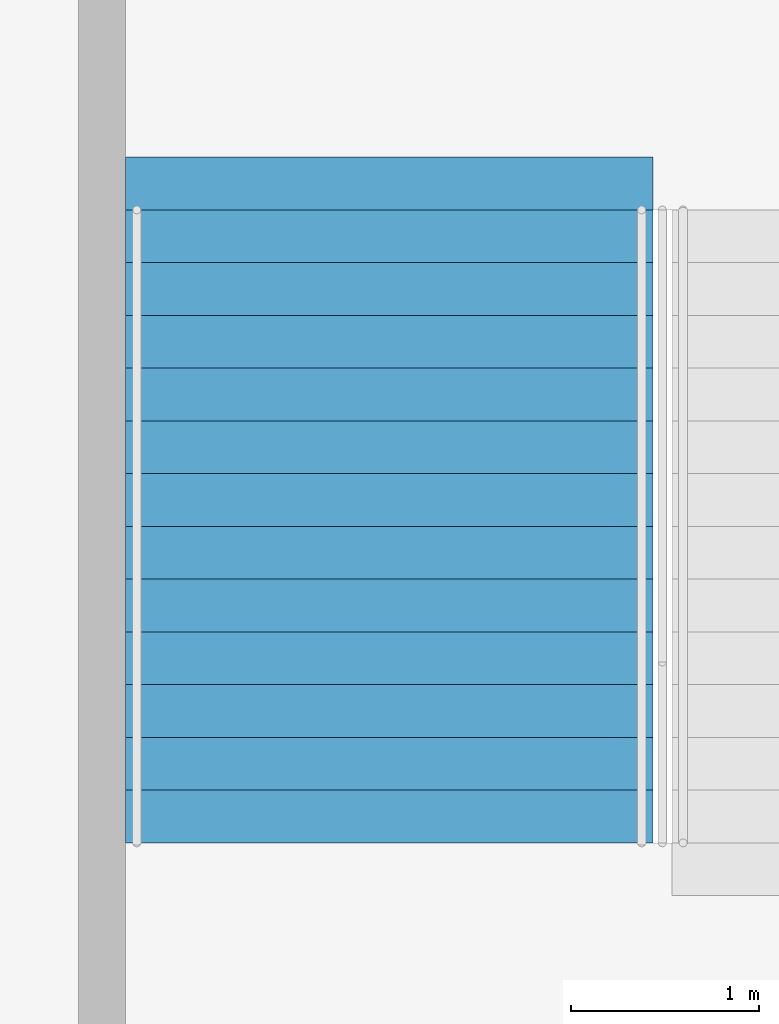
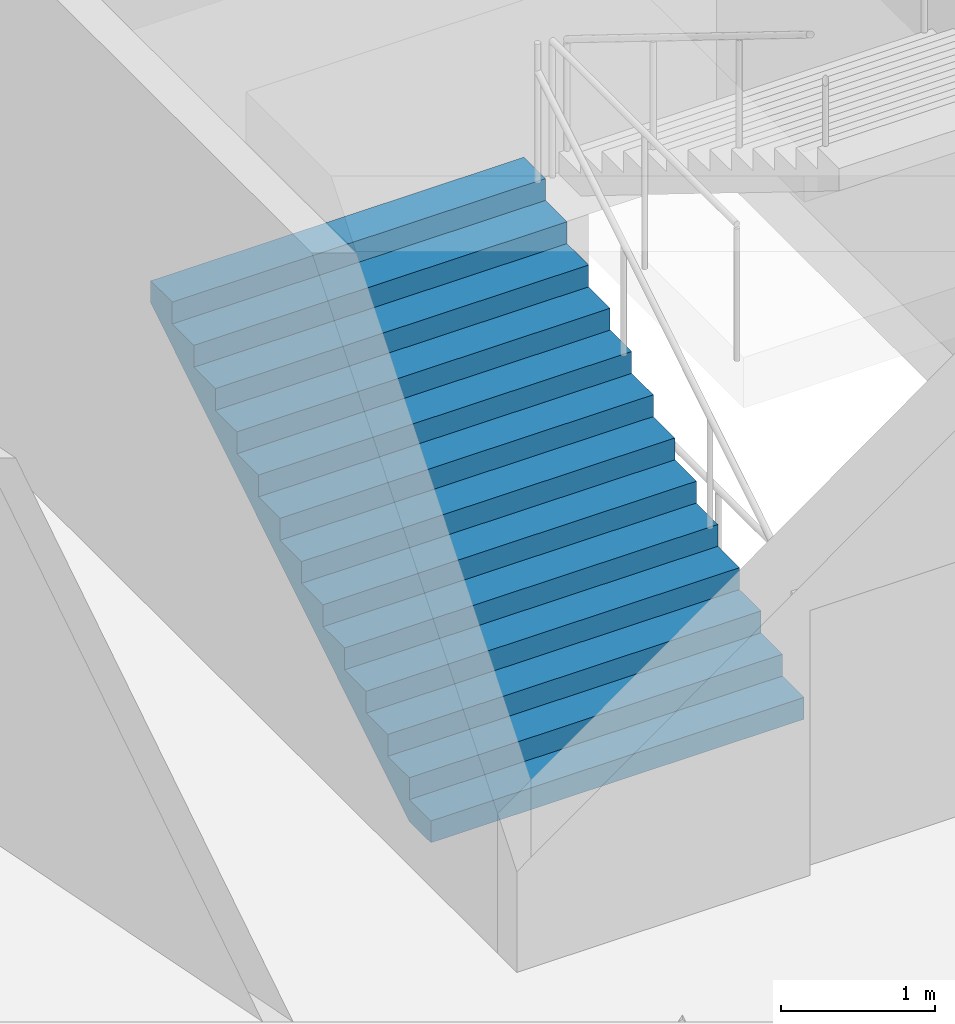
# One storey, part 128 of 175: 1 stair flight, 1 element without a shape of its own.
"""IFC4 building model written with IfcOpenShell, lengths in metres."""

from ifc_helpers import new_model, si_unit, direction, frame, origin, place, context, subcontext, project, spatial, faceted_brep, material, type_object, element, aggregate, save


model = new_model("IFC4")

# Units and contexts
model_context = context("Model", 3, precision=1e-05, world=origin(), true_north=direction((0.0, 1.0)))
body_context = subcontext(model_context, "Body", "Model", "MODEL_VIEW")
ifc_project = project(units=[si_unit("LENGTHUNIT", "METRE"), si_unit("AREAUNIT", "SQUARE_METRE"), si_unit("VOLUMEUNIT", "CUBIC_METRE"), si_unit("PLANEANGLEUNIT", "RADIAN"), si_unit("MASSUNIT", "GRAM", prefix="KILO")], contexts=[model_context])

# Site, building, storey
site_placement = place(None, origin())
site = spatial("IfcSite", under=ifc_project, at=site_placement, CompositionType="ELEMENT")
building_placement = place(site_placement, origin())
building = spatial("IfcBuilding", under=site, at=building_placement, Name="Ogive Plaza Stadium", CompositionType="ELEMENT")
storey_placement = place(building_placement, origin())
storey = spatial("IfcBuildingStorey", under=building, at=storey_placement, Name="L00", CompositionType="ELEMENT", Elevation=0.0)

# Stair, stair flight
ifc_material_1 = material(Name="Concrete C40/50", Category="concrete")
stair_type = type_object("IfcStairType", Name="Exit stair", PredefinedType="STRAIGHT_RUN_STAIR", material=ifc_material_1)
stair_placement = place(storey_placement, origin())
stair = element("IfcStair", 1, at=stair_placement, inside=storey, type_object=stair_type, Name="Exit stair ST32B L00 to L01", PredefinedType="STRAIGHT_RUN_STAIR")
ifc_material_2 = material(Name="Concrete C40/50", Category="concrete")
stair_flight_type = type_object("IfcStairFlightType", Name="Exit stair flight", PredefinedType="STRAIGHT", material=ifc_material_2)
stair_flight_placement = place(storey_placement, frame((-38.425048828125, 94.85009765625, 0.0), z_axis=(0.0, 0.0, 1.0), x_axis=(0.0, 1.0, 0.0)))
stair_flight = element("IfcStairFlight", 2, at=stair_flight_placement, type_object=stair_flight_type, Name="ST32B flight 1", NumberOfRisers=13, NumberOfTreads=12, PredefinedType="STRAIGHT", RiserHeight=0.173076923, TreadLength=0.28, context=body_context, shape_type="Brep", body=[
    faceted_brep([(0.28515625, -1.39990234375, 0.0), (3.639892578125, -1.39990234375, 2.07373046875), (3.639892578125, -1.39990234375, 2.25), (3.360107421875, -1.39990234375, 2.25), (3.360107421875, -1.39990234375, 2.076904296875), (3.080078125, -1.39990234375, 2.076904296875), (3.080078125, -1.39990234375, 1.90380859375), (2.800048828125, -1.39990234375, 1.90380859375), (2.800048828125, -1.39990234375, 1.730712890625), (2.52001953125, -1.39990234375, 1.730712890625), (2.52001953125, -1.39990234375, 1.5576171875), (2.239990234375, -1.39990234375, 1.5576171875), (2.239990234375, -1.39990234375, 1.384521484375), (1.9599609375, -1.39990234375, 1.384521484375), (1.9599609375, -1.39990234375, 1.21142578125), (1.679931640625, -1.39990234375, 1.21142578125), (1.679931640625, -1.39990234375, 1.03857421875), (1.39990234375, -1.39990234375, 1.03857421875), (1.39990234375, -1.39990234375, 0.865478515625), (1.1201171875, -1.39990234375, 0.865478515625), (1.1201171875, -1.39990234375, 0.6923828125), (0.840087890625, -1.39990234375, 0.6923828125), (0.840087890625, -1.39990234375, 0.519287109375), (0.56005859375, -1.39990234375, 0.519287109375), (0.56005859375, -1.39990234375, 0.34619140625), (0.280029296875, -1.39990234375, 0.34619140625), (0.280029296875, -1.39990234375, 0.173095703125), (0.0, -1.39990234375, 0.173095703125), (0.0, -1.39990234375, 0.0), (0.0, 1.39990234375, 0.0), (0.0, 1.39990234375, 0.173095703125), (0.280029296875, 1.39990234375, 0.173095703125), (0.280029296875, 1.39990234375, 0.34619140625), (0.56005859375, 1.39990234375, 0.34619140625), (0.56005859375, 1.39990234375, 0.519287109375), (0.840087890625, 1.39990234375, 0.519287109375), (0.840087890625, 1.39990234375, 0.6923828125), (1.1201171875, 1.39990234375, 0.6923828125), (1.1201171875, 1.39990234375, 0.865478515625), (1.39990234375, 1.39990234375, 0.865478515625), (1.39990234375, 1.39990234375, 1.03857421875), (1.679931640625, 1.39990234375, 1.03857421875), (1.679931640625, 1.39990234375, 1.21142578125), (1.9599609375, 1.39990234375, 1.21142578125), (1.9599609375, 1.39990234375, 1.384521484375), (2.239990234375, 1.39990234375, 1.384521484375), (2.239990234375, 1.39990234375, 1.5576171875), (2.52001953125, 1.39990234375, 1.5576171875), (2.52001953125, 1.39990234375, 1.730712890625), (2.800048828125, 1.39990234375, 1.730712890625), (2.800048828125, 1.39990234375, 1.90380859375), (3.080078125, 1.39990234375, 1.90380859375), (3.080078125, 1.39990234375, 2.076904296875), (3.360107421875, 1.39990234375, 2.076904296875), (3.360107421875, 1.39990234375, 2.25), (3.639892578125, 1.39990234375, 2.25), (3.639892578125, 1.39990234375, 2.07373046875), (0.28515625, 1.39990234375, 0.0), (0.28515625, -1.0888671875, 0.0), (3.639892578125, -1.0888671875, 2.07373046875), (0.28515625, -0.77783203125, 0.0), (3.639892578125, -0.77783203125, 2.07373046875), (0.28515625, -0.466796875, 0.0), (3.639892578125, -0.466796875, 2.07373046875), (0.28515625, -0.155517578125, 0.0), (3.639892578125, -0.155517578125, 2.07373046875), (0.28515625, 0.155517578125, 0.0), (3.639892578125, 0.155517578125, 2.07373046875), (0.28515625, 0.466796875, 0.0), (3.639892578125, 0.466796875, 2.07373046875), (0.28515625, 0.77783203125, 0.0), (3.639892578125, 0.77783203125, 2.07373046875), (0.28515625, 1.0888671875, 0.0), (3.639892578125, 1.0888671875, 2.07373046875), (3.639892578125, -1.0888671875, 2.25), (3.639892578125, -0.77783203125, 2.25), (3.639892578125, -0.466796875, 2.25), (3.639892578125, -0.155517578125, 2.25), (3.639892578125, 0.155517578125, 2.25), (3.639892578125, 0.466796875, 2.25), (3.639892578125, 0.77783203125, 2.25), (3.639892578125, 1.0888671875, 2.25), (3.360107421875, -1.0888671875, 2.25), (3.360107421875, -0.77783203125, 2.25), (3.360107421875, -0.466796875, 2.25), (3.360107421875, -0.155517578125, 2.25), (3.360107421875, 0.155517578125, 2.25), (3.360107421875, 0.466796875, 2.25), (3.360107421875, 0.77783203125, 2.25), (3.360107421875, 1.0888671875, 2.25), (3.360107421875, -1.0888671875, 2.076904296875), (3.360107421875, -0.77783203125, 2.076904296875), (3.360107421875, -0.466796875, 2.076904296875), (3.360107421875, -0.155517578125, 2.076904296875), (3.360107421875, 0.155517578125, 2.076904296875), (3.360107421875, 0.466796875, 2.076904296875), (3.360107421875, 0.77783203125, 2.076904296875), (3.360107421875, 1.0888671875, 2.076904296875), (3.080078125, -1.0888671875, 2.076904296875), (3.080078125, -0.77783203125, 2.076904296875), (3.080078125, -0.466796875, 2.076904296875), (3.080078125, -0.155517578125, 2.076904296875), (3.080078125, 0.155517578125, 2.076904296875), (3.080078125, 0.466796875, 2.076904296875), (3.080078125, 0.77783203125, 2.076904296875), (3.080078125, 1.0888671875, 2.076904296875), (3.080078125, -1.0888671875, 1.90380859375), (3.080078125, -0.77783203125, 1.90380859375), (3.080078125, -0.466796875, 1.90380859375), (3.080078125, -0.155517578125, 1.90380859375), (3.080078125, 0.155517578125, 1.90380859375), (3.080078125, 0.466796875, 1.90380859375), (3.080078125, 0.77783203125, 1.90380859375), (3.080078125, 1.0888671875, 1.90380859375), (2.800048828125, -1.0888671875, 1.90380859375), (2.800048828125, -0.77783203125, 1.90380859375), (2.800048828125, -0.466796875, 1.90380859375), (2.800048828125, -0.155517578125, 1.90380859375), (2.800048828125, 0.155517578125, 1.90380859375), (2.800048828125, 0.466796875, 1.90380859375), (2.800048828125, 0.77783203125, 1.90380859375), (2.800048828125, 1.0888671875, 1.90380859375), (2.800048828125, -1.0888671875, 1.730712890625), (2.800048828125, -0.77783203125, 1.730712890625), (2.800048828125, -0.466796875, 1.730712890625), (2.800048828125, -0.155517578125, 1.730712890625), (2.800048828125, 0.155517578125, 1.730712890625), (2.800048828125, 0.466796875, 1.730712890625), (2.800048828125, 0.77783203125, 1.730712890625), (2.800048828125, 1.0888671875, 1.730712890625), (2.52001953125, -1.0888671875, 1.730712890625), (2.52001953125, -0.77783203125, 1.730712890625), (2.52001953125, -0.466796875, 1.730712890625), (2.52001953125, -0.155517578125, 1.730712890625), (2.52001953125, 0.155517578125, 1.730712890625), (2.52001953125, 0.466796875, 1.730712890625), (2.52001953125, 0.77783203125, 1.730712890625), (2.52001953125, 1.0888671875, 1.730712890625), (2.52001953125, -1.0888671875, 1.5576171875), (2.52001953125, -0.77783203125, 1.5576171875), (2.52001953125, -0.466796875, 1.5576171875), (2.52001953125, -0.155517578125, 1.5576171875), (2.52001953125, 0.155517578125, 1.5576171875), (2.52001953125, 0.466796875, 1.5576171875), (2.52001953125, 0.77783203125, 1.5576171875), (2.52001953125, 1.0888671875, 1.5576171875), (2.239990234375, -1.0888671875, 1.5576171875), (2.239990234375, -0.77783203125, 1.5576171875), (2.239990234375, -0.466796875, 1.5576171875), (2.239990234375, -0.155517578125, 1.5576171875), (2.239990234375, 0.155517578125, 1.5576171875), (2.239990234375, 0.466796875, 1.5576171875), (2.239990234375, 0.77783203125, 1.5576171875), (2.239990234375, 1.0888671875, 1.5576171875), (2.239990234375, -1.0888671875, 1.384521484375), (2.239990234375, -0.77783203125, 1.384521484375), (2.239990234375, -0.466796875, 1.384521484375), (2.239990234375, -0.155517578125, 1.384521484375), (2.239990234375, 0.155517578125, 1.384521484375), (2.239990234375, 0.466796875, 1.384521484375), (2.239990234375, 0.77783203125, 1.384521484375), (2.239990234375, 1.0888671875, 1.384521484375), (1.9599609375, -1.0888671875, 1.384521484375), (1.9599609375, -0.77783203125, 1.384521484375), (1.9599609375, -0.466796875, 1.384521484375), (1.9599609375, -0.155517578125, 1.384521484375), (1.9599609375, 0.155517578125, 1.384521484375), (1.9599609375, 0.466796875, 1.384521484375), (1.9599609375, 0.77783203125, 1.384521484375), (1.9599609375, 1.0888671875, 1.384521484375), (1.9599609375, -1.0888671875, 1.21142578125), (1.9599609375, -0.77783203125, 1.21142578125), (1.9599609375, -0.466796875, 1.21142578125), (1.9599609375, -0.155517578125, 1.21142578125), (1.9599609375, 0.155517578125, 1.21142578125), (1.9599609375, 0.466796875, 1.21142578125), (1.9599609375, 0.77783203125, 1.21142578125), (1.9599609375, 1.0888671875, 1.21142578125), (1.679931640625, -1.0888671875, 1.21142578125), (1.679931640625, -0.77783203125, 1.21142578125), (1.679931640625, -0.466796875, 1.21142578125), (1.679931640625, -0.155517578125, 1.21142578125), (1.679931640625, 0.155517578125, 1.21142578125), (1.679931640625, 0.466796875, 1.21142578125), (1.679931640625, 0.77783203125, 1.21142578125), (1.679931640625, 1.0888671875, 1.21142578125), (1.679931640625, -1.0888671875, 1.03857421875), (1.679931640625, -0.77783203125, 1.03857421875), (1.679931640625, -0.466796875, 1.03857421875), (1.679931640625, -0.155517578125, 1.03857421875), (1.679931640625, 0.155517578125, 1.03857421875), (1.679931640625, 0.466796875, 1.03857421875), (1.679931640625, 0.77783203125, 1.03857421875), (1.679931640625, 1.0888671875, 1.03857421875), (1.39990234375, -1.0888671875, 1.03857421875), (1.39990234375, -0.77783203125, 1.03857421875), (1.39990234375, -0.466796875, 1.03857421875), (1.39990234375, -0.155517578125, 1.03857421875), (1.39990234375, 0.155517578125, 1.03857421875), (1.39990234375, 0.466796875, 1.03857421875), (1.39990234375, 0.77783203125, 1.03857421875), (1.39990234375, 1.0888671875, 1.03857421875), (1.39990234375, -1.0888671875, 0.865478515625), (1.39990234375, -0.77783203125, 0.865478515625), (1.39990234375, -0.466796875, 0.865478515625), (1.39990234375, -0.155517578125, 0.865478515625), (1.39990234375, 0.155517578125, 0.865478515625), (1.39990234375, 0.466796875, 0.865478515625), (1.39990234375, 0.77783203125, 0.865478515625), (1.39990234375, 1.0888671875, 0.865478515625), (1.1201171875, -1.0888671875, 0.865478515625), (1.1201171875, -0.77783203125, 0.865478515625), (1.1201171875, -0.466796875, 0.865478515625), (1.1201171875, -0.155517578125, 0.865478515625), (1.1201171875, 0.155517578125, 0.865478515625), (1.1201171875, 0.466796875, 0.865478515625), (1.1201171875, 0.77783203125, 0.865478515625), (1.1201171875, 1.0888671875, 0.865478515625), (1.1201171875, -1.0888671875, 0.6923828125), (1.1201171875, -0.77783203125, 0.6923828125), (1.1201171875, -0.466796875, 0.6923828125), (1.1201171875, -0.155517578125, 0.6923828125), (1.1201171875, 0.155517578125, 0.6923828125), (1.1201171875, 0.466796875, 0.6923828125), (1.1201171875, 0.77783203125, 0.6923828125), (1.1201171875, 1.0888671875, 0.6923828125), (0.840087890625, -1.0888671875, 0.6923828125), (0.840087890625, -0.77783203125, 0.6923828125), (0.840087890625, -0.466796875, 0.6923828125), (0.840087890625, -0.155517578125, 0.6923828125), (0.840087890625, 0.155517578125, 0.6923828125), (0.840087890625, 0.466796875, 0.6923828125), (0.840087890625, 0.77783203125, 0.6923828125), (0.840087890625, 1.0888671875, 0.6923828125), (0.840087890625, -1.0888671875, 0.519287109375), (0.840087890625, -0.77783203125, 0.519287109375), (0.840087890625, -0.466796875, 0.519287109375), (0.840087890625, -0.155517578125, 0.519287109375), (0.840087890625, 0.155517578125, 0.519287109375), (0.840087890625, 0.466796875, 0.519287109375), (0.840087890625, 0.77783203125, 0.519287109375), (0.840087890625, 1.0888671875, 0.519287109375), (0.56005859375, -1.0888671875, 0.519287109375), (0.56005859375, -0.77783203125, 0.519287109375), (0.56005859375, -0.466796875, 0.519287109375), (0.56005859375, -0.155517578125, 0.519287109375), (0.56005859375, 0.155517578125, 0.519287109375), (0.56005859375, 0.466796875, 0.519287109375), (0.56005859375, 0.77783203125, 0.519287109375), (0.56005859375, 1.0888671875, 0.519287109375), (0.56005859375, -1.0888671875, 0.34619140625), (0.56005859375, -0.77783203125, 0.34619140625), (0.56005859375, -0.466796875, 0.34619140625), (0.56005859375, -0.155517578125, 0.34619140625), (0.56005859375, 0.155517578125, 0.34619140625), (0.56005859375, 0.466796875, 0.34619140625), (0.56005859375, 0.77783203125, 0.34619140625), (0.56005859375, 1.0888671875, 0.34619140625), (0.280029296875, -1.0888671875, 0.34619140625), (0.280029296875, -0.77783203125, 0.34619140625), (0.280029296875, -0.466796875, 0.34619140625), (0.280029296875, -0.155517578125, 0.34619140625), (0.280029296875, 0.155517578125, 0.34619140625), (0.280029296875, 0.466796875, 0.34619140625), (0.280029296875, 0.77783203125, 0.34619140625), (0.280029296875, 1.0888671875, 0.34619140625), (0.280029296875, -1.0888671875, 0.173095703125), (0.280029296875, -0.77783203125, 0.173095703125), (0.280029296875, -0.466796875, 0.173095703125), (0.280029296875, -0.155517578125, 0.173095703125), (0.280029296875, 0.155517578125, 0.173095703125), (0.280029296875, 0.466796875, 0.173095703125), (0.280029296875, 0.77783203125, 0.173095703125), (0.280029296875, 1.0888671875, 0.173095703125), (0.0, -1.0888671875, 0.173095703125), (0.0, -0.77783203125, 0.173095703125), (0.0, -0.466796875, 0.173095703125), (0.0, -0.155517578125, 0.173095703125), (0.0, 0.155517578125, 0.173095703125), (0.0, 0.466796875, 0.173095703125), (0.0, 0.77783203125, 0.173095703125), (0.0, 1.0888671875, 0.173095703125), (0.0, -1.0888671875, 0.0), (0.0, -0.77783203125, 0.0), (0.0, -0.466796875, 0.0), (0.0, -0.155517578125, 0.0), (0.0, 0.155517578125, 0.0), (0.0, 0.466796875, 0.0), (0.0, 0.77783203125, 0.0), (0.0, 1.0888671875, 0.0)], [[[0, 1, 2, 3, 4, 5, 6, 7, 8, 9, 10, 11, 12, 13, 14, 15, 16, 17, 18, 19, 20, 21, 22, 23, 24, 25, 26, 27, 28]], [[29, 30, 31, 32, 33, 34, 35, 36, 37, 38, 39, 40, 41, 42, 43, 44, 45, 46, 47, 48, 49, 50, 51, 52, 53, 54, 55, 56, 57]], [[0, 58, 59, 1]], [[58, 60, 61, 59]], [[60, 62, 63, 61]], [[62, 64, 65, 63]], [[64, 66, 67, 65]], [[66, 68, 69, 67]], [[68, 70, 71, 69]], [[70, 72, 73, 71]], [[72, 57, 56, 73]], [[1, 59, 74, 2]], [[59, 61, 75, 74]], [[61, 63, 76, 75]], [[63, 65, 77, 76]], [[65, 67, 78, 77]], [[67, 69, 79, 78]], [[69, 71, 80, 79]], [[71, 73, 81, 80]], [[73, 56, 55, 81]], [[2, 74, 82, 3]], [[74, 75, 83, 82]], [[75, 76, 84, 83]], [[76, 77, 85, 84]], [[77, 78, 86, 85]], [[78, 79, 87, 86]], [[79, 80, 88, 87]], [[80, 81, 89, 88]], [[81, 55, 54, 89]], [[3, 82, 90, 4]], [[82, 83, 91, 90]], [[83, 84, 92, 91]], [[84, 85, 93, 92]], [[85, 86, 94, 93]], [[86, 87, 95, 94]], [[87, 88, 96, 95]], [[88, 89, 97, 96]], [[89, 54, 53, 97]], [[4, 90, 98, 5]], [[90, 91, 99, 98]], [[91, 92, 100, 99]], [[92, 93, 101, 100]], [[93, 94, 102, 101]], [[94, 95, 103, 102]], [[95, 96, 104, 103]], [[96, 97, 105, 104]], [[97, 53, 52, 105]], [[5, 98, 106, 6]], [[98, 99, 107, 106]], [[99, 100, 108, 107]], [[100, 101, 109, 108]], [[101, 102, 110, 109]], [[102, 103, 111, 110]], [[103, 104, 112, 111]], [[104, 105, 113, 112]], [[105, 52, 51, 113]], [[6, 106, 114, 7]], [[106, 107, 115, 114]], [[107, 108, 116, 115]], [[108, 109, 117, 116]], [[109, 110, 118, 117]], [[110, 111, 119, 118]], [[111, 112, 120, 119]], [[112, 113, 121, 120]], [[113, 51, 50, 121]], [[7, 114, 122, 8]], [[114, 115, 123, 122]], [[115, 116, 124, 123]], [[116, 117, 125, 124]], [[117, 118, 126, 125]], [[118, 119, 127, 126]], [[119, 120, 128, 127]], [[120, 121, 129, 128]], [[121, 50, 49, 129]], [[8, 122, 130, 9]], [[122, 123, 131, 130]], [[123, 124, 132, 131]], [[124, 125, 133, 132]], [[125, 126, 134, 133]], [[126, 127, 135, 134]], [[127, 128, 136, 135]], [[128, 129, 137, 136]], [[129, 49, 48, 137]], [[9, 130, 138, 10]], [[130, 131, 139, 138]], [[131, 132, 140, 139]], [[132, 133, 141, 140]], [[133, 134, 142, 141]], [[134, 135, 143, 142]], [[135, 136, 144, 143]], [[136, 137, 145, 144]], [[137, 48, 47, 145]], [[10, 138, 146, 11]], [[138, 139, 147, 146]], [[139, 140, 148, 147]], [[140, 141, 149, 148]], [[141, 142, 150, 149]], [[142, 143, 151, 150]], [[143, 144, 152, 151]], [[144, 145, 153, 152]], [[145, 47, 46, 153]], [[11, 146, 154, 12]], [[146, 147, 155, 154]], [[147, 148, 156, 155]], [[148, 149, 157, 156]], [[149, 150, 158, 157]], [[150, 151, 159, 158]], [[151, 152, 160, 159]], [[152, 153, 161, 160]], [[153, 46, 45, 161]], [[12, 154, 162, 13]], [[154, 155, 163, 162]], [[155, 156, 164, 163]], [[156, 157, 165, 164]], [[157, 158, 166, 165]], [[158, 159, 167, 166]], [[159, 160, 168, 167]], [[160, 161, 169, 168]], [[161, 45, 44, 169]], [[13, 162, 170, 14]], [[162, 163, 171, 170]], [[163, 164, 172, 171]], [[164, 165, 173, 172]], [[165, 166, 174, 173]], [[166, 167, 175, 174]], [[167, 168, 176, 175]], [[168, 169, 177, 176]], [[169, 44, 43, 177]], [[14, 170, 178, 15]], [[170, 171, 179, 178]], [[171, 172, 180, 179]], [[172, 173, 181, 180]], [[173, 174, 182, 181]], [[174, 175, 183, 182]], [[175, 176, 184, 183]], [[176, 177, 185, 184]], [[177, 43, 42, 185]], [[15, 178, 186, 16]], [[178, 179, 187, 186]], [[179, 180, 188, 187]], [[180, 181, 189, 188]], [[181, 182, 190, 189]], [[182, 183, 191, 190]], [[183, 184, 192, 191]], [[184, 185, 193, 192]], [[185, 42, 41, 193]], [[16, 186, 194, 17]], [[186, 187, 195, 194]], [[187, 188, 196, 195]], [[188, 189, 197, 196]], [[189, 190, 198, 197]], [[190, 191, 199, 198]], [[191, 192, 200, 199]], [[192, 193, 201, 200]], [[193, 41, 40, 201]], [[17, 194, 202, 18]], [[194, 195, 203, 202]], [[195, 196, 204, 203]], [[196, 197, 205, 204]], [[197, 198, 206, 205]], [[198, 199, 207, 206]], [[199, 200, 208, 207]], [[200, 201, 209, 208]], [[201, 40, 39, 209]], [[18, 202, 210, 19]], [[202, 203, 211, 210]], [[203, 204, 212, 211]], [[204, 205, 213, 212]], [[205, 206, 214, 213]], [[206, 207, 215, 214]], [[207, 208, 216, 215]], [[208, 209, 217, 216]], [[209, 39, 38, 217]], [[19, 210, 218, 20]], [[210, 211, 219, 218]], [[211, 212, 220, 219]], [[212, 213, 221, 220]], [[213, 214, 222, 221]], [[214, 215, 223, 222]], [[215, 216, 224, 223]], [[216, 217, 225, 224]], [[217, 38, 37, 225]], [[20, 218, 226, 21]], [[218, 219, 227, 226]], [[219, 220, 228, 227]], [[220, 221, 229, 228]], [[221, 222, 230, 229]], [[222, 223, 231, 230]], [[223, 224, 232, 231]], [[224, 225, 233, 232]], [[225, 37, 36, 233]], [[21, 226, 234, 22]], [[226, 227, 235, 234]], [[227, 228, 236, 235]], [[228, 229, 237, 236]], [[229, 230, 238, 237]], [[230, 231, 239, 238]], [[231, 232, 240, 239]], [[232, 233, 241, 240]], [[233, 36, 35, 241]], [[22, 234, 242, 23]], [[234, 235, 243, 242]], [[235, 236, 244, 243]], [[236, 237, 245, 244]], [[237, 238, 246, 245]], [[238, 239, 247, 246]], [[239, 240, 248, 247]], [[240, 241, 249, 248]], [[241, 35, 34, 249]], [[23, 242, 250, 24]], [[242, 243, 251, 250]], [[243, 244, 252, 251]], [[244, 245, 253, 252]], [[245, 246, 254, 253]], [[246, 247, 255, 254]], [[247, 248, 256, 255]], [[248, 249, 257, 256]], [[249, 34, 33, 257]], [[24, 250, 258, 25]], [[250, 251, 259, 258]], [[251, 252, 260, 259]], [[252, 253, 261, 260]], [[253, 254, 262, 261]], [[254, 255, 263, 262]], [[255, 256, 264, 263]], [[256, 257, 265, 264]], [[257, 33, 32, 265]], [[25, 258, 266, 26]], [[258, 259, 267, 266]], [[259, 260, 268, 267]], [[260, 261, 269, 268]], [[261, 262, 270, 269]], [[262, 263, 271, 270]], [[263, 264, 272, 271]], [[264, 265, 273, 272]], [[265, 32, 31, 273]], [[26, 266, 274, 27]], [[266, 267, 275, 274]], [[267, 268, 276, 275]], [[268, 269, 277, 276]], [[269, 270, 278, 277]], [[270, 271, 279, 278]], [[271, 272, 280, 279]], [[272, 273, 281, 280]], [[273, 31, 30, 281]], [[27, 274, 282, 28]], [[274, 275, 283, 282]], [[275, 276, 284, 283]], [[276, 277, 285, 284]], [[277, 278, 286, 285]], [[278, 279, 287, 286]], [[279, 280, 288, 287]], [[280, 281, 289, 288]], [[281, 30, 29, 289]], [[28, 282, 58, 0]], [[282, 283, 60, 58]], [[283, 284, 62, 60]], [[284, 285, 64, 62]], [[285, 286, 66, 64]], [[286, 287, 68, 66]], [[287, 288, 70, 68]], [[288, 289, 72, 70]], [[289, 29, 57, 72]]]),
])
aggregate(stair, [stair_flight])

save(model, "model.ifc")
